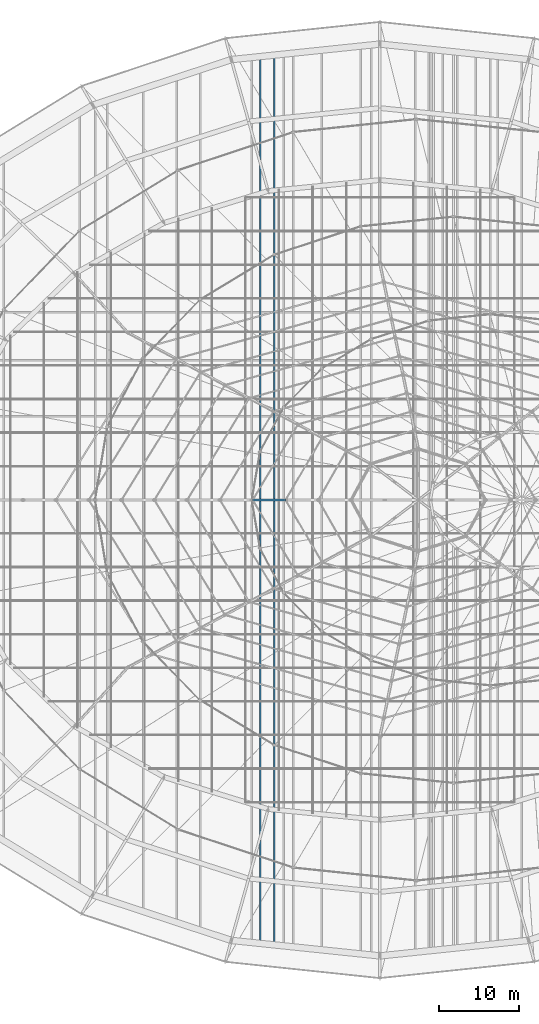
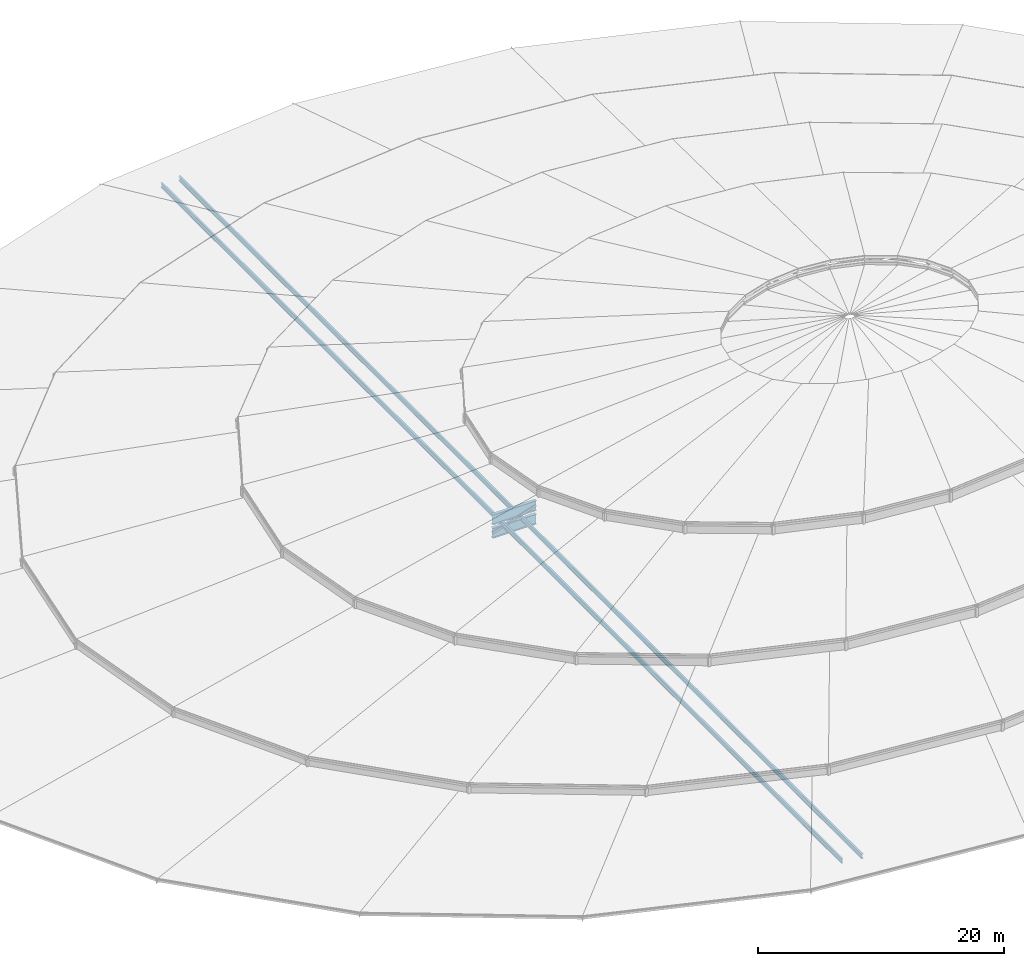
# One storey, part 30 of 184: 3 members, 2 beams.
"""IFC4 building model written with IfcOpenShell, lengths in metres."""

import ifcopenshell
import ifcopenshell.guid

model = None  # the IFC model being written
_history = None  # IfcOwnerHistory: only IFC2X3 demands one
_inside = {}  # id of a spatial element -> (the spatial element, [elements in it])
_under = {}  # id of a project, library or spatial element -> (it, [spatial elements below it])
_declared = {}  # id of a project -> (the project, [libraries it declares])
_typed = {}  # id of a type object -> (the type object, [elements of that type])
_made_of = {}  # id of a material, layer set ... -> (it, [elements and type objects made of it])


def new_model(schema):
    """Start an empty IFC model of exactly this schema.

    Asked for "IFC4X3", IfcOpenShell would pick the latest addendum, in which some entities
    have other attributes; the version numbers below select the first issue.
    IFC2X3 requires an IfcOwnerHistory on every rooted entity: one is made here for all.
    """
    global model, _history
    if schema == "IFC4X3":
        model = ifcopenshell.file(schema_version=(4, 3, 0, 0))
    else:
        model = ifcopenshell.file(schema=schema)
    _inside.clear()
    _under.clear()
    _declared.clear()
    _typed.clear()
    _made_of.clear()
    _history = None
    if model.schema == "IFC2X3":
        org = make("IfcOrganization", Name="unknown")
        user = make(
            "IfcPersonAndOrganization",
            ThePerson=make("IfcPerson", FamilyName="unknown"),
            TheOrganization=org,
        )
        app = make(
            "IfcApplication",
            ApplicationDeveloper=org,
            Version="unknown",
            ApplicationFullName="unknown",
            ApplicationIdentifier="unknown",
        )
        _history = make(
            "IfcOwnerHistory",
            OwningUser=user,
            OwningApplication=app,
            ChangeAction="ADDED",
            CreationDate=0,
        )
    return model


def make(cls, **values):
    """One entity of the class cls with the attributes given. An attribute that is None is left unset."""
    return model.create_entity(
        cls, **{name: value for name, value in values.items() if value is not None}
    )


def rooted(cls, **values):
    """An entity with a GlobalId (a new one), such as an element, a storey or a relation."""
    return make(cls, GlobalId=ifcopenshell.guid.new(), OwnerHistory=_history, **values)


def si_unit(unit_type, name, prefix=None):
    """IfcSIUnit, for example si_unit("LENGTHUNIT", "METRE", prefix="MILLI")."""
    return make("IfcSIUnit", UnitType=unit_type, Prefix=prefix, Name=name)


def assignment(units):
    """IfcUnitAssignment: the units of a project."""
    return None if units is None else make("IfcUnitAssignment", Units=units)


def point(xyz):
    """IfcCartesianPoint."""
    return None if xyz is None else make("IfcCartesianPoint", Coordinates=xyz)


def direction(xyz):
    """IfcDirection."""
    return None if xyz is None else make("IfcDirection", DirectionRatios=xyz)


def frame(location, z_axis=None, x_axis=None):
    """IfcAxis2Placement3D, a coordinate frame: its origin and axes. An axis left out is left unset."""
    return make(
        "IfcAxis2Placement3D",
        Location=point(location),
        Axis=direction(z_axis),
        RefDirection=direction(x_axis),
    )


def frame_2d(location, x_axis=None):
    """IfcAxis2Placement2D, a coordinate frame in the plane: its origin and x axis."""
    return make(
        "IfcAxis2Placement2D", Location=point(location), RefDirection=direction(x_axis)
    )


def origin():
    """The frame at (0, 0, 0) with its axes left unset."""
    return frame((0.0, 0.0, 0.0))


def origin_2d():
    """The frame at (0, 0) in the plane with its x axis left unset."""
    return frame_2d((0.0, 0.0))


def place(relative_to, where):
    """IfcLocalPlacement: puts the frame where relative to a parent placement (None: the world)."""
    return make(
        "IfcLocalPlacement", PlacementRelTo=relative_to, RelativePlacement=where
    )


def context(
    kind, dimensions, precision=None, world=None, true_north=None, identifier=None
):
    """IfcGeometricRepresentationContext, for example the 3D "Model" context."""
    return make(
        "IfcGeometricRepresentationContext",
        ContextIdentifier=identifier,
        ContextType=kind,
        CoordinateSpaceDimension=dimensions,
        Precision=precision,
        WorldCoordinateSystem=world,
        TrueNorth=true_north,
    )


def subcontext(parent, identifier, kind, view, scale=None):
    """IfcGeometricRepresentationSubContext, for example "Body" below "Model"."""
    return make(
        "IfcGeometricRepresentationSubContext",
        ContextIdentifier=identifier,
        ContextType=kind,
        ParentContext=parent,
        TargetScale=scale,
        TargetView=view,
    )


def project(units=None, contexts=None):
    """IfcProject with its units and contexts."""
    return rooted(
        "IfcProject",
        Name="project",
        RepresentationContexts=contexts,
        UnitsInContext=assignment(units),
    )


def spatial(cls, under=None, at=None, **own):
    """A site, building, storey or space (cls), placed at a placement, below another one or the project."""
    s = rooted(cls, ObjectPlacement=at, **own)
    if under is not None:
        _under.setdefault(under.id(), (under, []))[1].append(s)
    return s


def profile(cls, at=None, kind="AREA", **sizes):
    """A parametric profile (cls). Its sizes go by their IFC names, for example OverallWidth=200.0."""
    return make(cls, ProfileType=kind, Position=at, **sizes)


def hollow_rectangle(**sizes):
    """IfcRectangleHollowProfileDef."""
    return profile("IfcRectangleHollowProfileDef", **sizes)


def i_section(**sizes):
    """IfcIShapeProfileDef."""
    return profile("IfcIShapeProfileDef", **sizes)


def extrude(swept, where, along, depth):
    """IfcExtrudedAreaSolid: the profile swept, set in the frame where, extruded along a direction by depth."""
    return make(
        "IfcExtrudedAreaSolid",
        SweptArea=swept,
        Position=where,
        ExtrudedDirection=direction(along),
        Depth=depth,
    )


def shape(context_of_items, identifier, shape_type, items):
    """IfcShapeRepresentation: the items that make up one representation, for example the "Body"."""
    return make(
        "IfcShapeRepresentation",
        ContextOfItems=context_of_items,
        RepresentationIdentifier=identifier,
        RepresentationType=shape_type,
        Items=items,
    )


def material(Name=None, Category=None):
    """IfcMaterial."""
    return make("IfcMaterial", Name=Name, Category=Category)


def material_profile(
    of_material, cross_section, Name=None, Category=None, Priority=None
):
    """IfcMaterialProfile: a cross section and its material."""
    return make(
        "IfcMaterialProfile",
        Name=Name,
        Material=of_material,
        Profile=cross_section,
        Priority=Priority,
        Category=Category,
    )


def profile_set(profiles, Name=None, composite=None):
    """IfcMaterialProfileSet."""
    return make(
        "IfcMaterialProfileSet",
        Name=Name,
        MaterialProfiles=profiles,
        CompositeProfile=composite,
    )


def made_of(thing, what):
    """Note that an element or type object is made of a material, layer set ...; save() writes the relation."""
    if what is not None:
        _made_of.setdefault(what.id(), (what, []))[1].append(thing)
    return thing


def type_object(cls, material=None, **own):
    """A type object (cls), such as IfcWallType, which elements share."""
    return made_of(rooted(cls, **own), material)


def element(
    cls,
    number,
    at=None,
    inside=None,
    cuts=None,
    type_object=None,
    material=None,
    context=None,
    identifier="Body",
    shape_type=None,
    held_by="IfcProductDefinitionShape",
    body=None,
    shapes=None,
    **own,
):
    """One element of the class cls, such as IfcWall. Its Tag is "e" and its number.

    at: its placement. inside: the storey or other place that contains it. cuts: it is an
    opening in that element (IfcRelVoidsElement). A single representation is given by context,
    identifier, shape_type and body (its items); several are given by shapes. held_by: the class
    of the entity that holds the representations. save() writes the other relations.
    """
    e = rooted(cls, Tag="e%d" % number, ObjectPlacement=at, **own)
    if body is not None:
        shapes = [shape(context, identifier, shape_type, body)]
    if shapes is not None:
        e.Representation = make(held_by, Representations=shapes)
    if inside is not None:
        _inside.setdefault(inside.id(), (inside, []))[1].append(e)
    if cuts is not None:
        rooted(
            "IfcRelVoidsElement", RelatingBuildingElement=cuts, RelatedOpeningElement=e
        )
    if type_object is not None:
        _typed.setdefault(type_object.id(), (type_object, []))[1].append(e)
    return made_of(e, material)


def aggregate(whole, parts):
    """IfcRelAggregates: a whole, such as a stair, and the parts it consists of."""
    return rooted("IfcRelAggregates", RelatingObject=whole, RelatedObjects=parts)


def save(model, path):
    """Write the relations noted so far, then the file.

    IfcRelAggregates (storeys below a building ...), IfcRelContainedInSpatialStructure (elements
    in a storey), IfcRelDefinesByType, IfcRelAssociatesMaterial and IfcRelDeclares: one each for
    every whole, place, type object, material and project.
    """
    for whole, parts in _under.values():
        aggregate(whole, parts)
    for where, things in _inside.values():
        rooted(
            "IfcRelContainedInSpatialStructure",
            RelatedElements=things,
            RelatingStructure=where,
        )
    for kind, things in _typed.values():
        rooted("IfcRelDefinesByType", RelatedObjects=things, RelatingType=kind)
    for what, things in _made_of.values():
        rooted("IfcRelAssociatesMaterial", RelatedObjects=things, RelatingMaterial=what)
    for by, libraries in _declared.values():
        rooted("IfcRelDeclares", RelatingContext=by, RelatedDefinitions=libraries)
    model.write(path)


model = new_model("IFC4")

# Units and contexts
model_context = context("Model", 3, precision=1e-05, world=origin(), true_north=direction((0.0, 1.0)))
body_context = subcontext(model_context, "Body", "Model", "MODEL_VIEW")
ifc_project = project(units=[si_unit("LENGTHUNIT", "METRE"), si_unit("AREAUNIT", "SQUARE_METRE"), si_unit("VOLUMEUNIT", "CUBIC_METRE"), si_unit("PLANEANGLEUNIT", "RADIAN"), si_unit("MASSUNIT", "GRAM", prefix="KILO")], contexts=[model_context])

# Site, building, storey
site_placement = place(None, origin())
site = spatial("IfcSite", under=ifc_project, at=site_placement, CompositionType="ELEMENT")
building_placement = place(site_placement, origin())
building = spatial("IfcBuilding", under=site, at=building_placement, Name="Kalgoora Escarpment Arena", CompositionType="ELEMENT")
storey_placement = place(building_placement, frame((0.0, 0.0, 27.60009765625)))
storey = spatial("IfcBuildingStorey", under=building, at=storey_placement, Name="Roof Level", CompositionType="ELEMENT", Elevation=27.60009765625)

# Beams
ifc_material_1 = material(Name="Structural steel Grade 350 (350 MPa)", Category="steel")
ifc_material_profile_1 = material_profile(ifc_material_1, i_section(OverallWidth=0.300048828125, OverallDepth=1.010009765625, WebThickness=0.01611328125, FlangeThickness=0.030029296875, at=origin_2d()))
ifc_profile_set_1 = profile_set([ifc_material_profile_1], Name="Structural steel Grade 350 (350 MPa)")
beam_type = type_object("IfcBeamType", Name="BM-TRUSS-CHORD", PredefinedType="USERDEFINED", material=ifc_profile_set_1)
for number, where, z_axis, x_axis, name in (
    (1, (76.488037109375, 64.0, -1.614990234375), (0.999999299082, 0.0, 0.001183991593), (0.0, 1.0, 0.0), "Radial ROOF TRUSS spine 5 bottom chord 9"),
    (2, (76.488037109375, 64.0, -0.280029296875), (0.999997054401, 0.0, 0.002427177317), (0.0, 1.0, 0.0), "Radial ROOF TRUSS spine 5 top chord 9"),
):
    element("IfcBeam", number, at=place(storey_placement, frame(where, z_axis=z_axis, x_axis=x_axis)), inside=storey, type_object=beam_type, Name=name, ObjectType="GIRDER", PredefinedType="USERDEFINED", context=body_context, shape_type="SweptSolid", body=[
        extrude(i_section(OverallWidth=0.300048828125, OverallDepth=1.010009765625, WebThickness=0.01611328125, FlangeThickness=0.030029296875, at=origin_2d()), origin(), (0.0, 0.0, 1.0), 4.1240234375),
    ])

# Members
ifc_material_2 = material(Name="Structural steel AS/NZS 3679 (300 MPa)", Category="steel")
ifc_material_profile_2 = material_profile(ifc_material_2, i_section(OverallWidth=0.19091796875, OverallDepth=0.4599609375, WebThickness=0.010009765625, FlangeThickness=0.01611328125, at=origin_2d()))
ifc_profile_set_2 = profile_set([ifc_material_profile_2], Name="Structural steel AS/NZS 3679 (300 MPa)")
member_type_1 = type_object("IfcMemberType", Name="MEM-CARRIER-CHORD", PredefinedType="CHORD", material=ifc_profile_set_2)
member_1_placement = place(storey_placement, frame((79.199951171875, 8.379638671875, -1.02001953125), z_axis=(0.0, 1.0, 0.0), x_axis=(-1.0, 0.0, 0.0)))
element("IfcMember", 3, at=member_1_placement, inside=storey, type_object=member_type_1, Name="Petal RP3 spanning carrier chord C09", PredefinedType="CHORD", context=body_context, shape_type="SweptSolid", body=[
    extrude(i_section(OverallWidth=0.19091796875, OverallDepth=0.4599609375, WebThickness=0.010009765625, FlangeThickness=0.01611328125, at=origin_2d()), origin(), (0.0, 0.0, 1.0), 111.24072265625),
])
member_2_placement = place(storey_placement, frame((77.415283203125, 8.566162109375, -0.960205078125), z_axis=(0.0, 1.0, 0.0), x_axis=(-1.0, 0.0, 0.0)))
element("IfcMember", 4, at=member_2_placement, inside=storey, type_object=member_type_1, Name="Petal RP4 spanning carrier chord C12", PredefinedType="CHORD", context=body_context, shape_type="SweptSolid", body=[
    extrude(i_section(OverallWidth=0.19091796875, OverallDepth=0.4599609375, WebThickness=0.010009765625, FlangeThickness=0.01611328125, at=origin_2d()), origin(), (0.0, 0.0, 1.0), 110.86767578125),
])
ifc_material_3 = material(Name="Structural steel C350 (350 MPa)", Category="steel")
ifc_material_profile_3 = material_profile(ifc_material_3, hollow_rectangle(XDim=0.199951171875, YDim=0.199951171875, WallThickness=0.009033203125, at=origin_2d()))
ifc_profile_set_3 = profile_set([ifc_material_profile_3], Name="Structural steel C350 (350 MPa)")
member_type_2 = type_object("IfcMemberType", Name="MEM-TRUSS-DIAG", PredefinedType="BRACE", material=ifc_profile_set_3)
member_3_placement = place(storey_placement, frame((76.5, 64.0, -1.614990234375), z_axis=(0.950183125168, 0.0, 0.311692201772), x_axis=(0.0, 1.0, 0.0)))
element("IfcMember", 5, at=member_3_placement, inside=storey, type_object=member_type_2, Name="Radial ROOF TRUSS spine 5 web diagonal 9", PredefinedType="BRACE", context=body_context, shape_type="SweptSolid", body=[
    extrude(hollow_rectangle(XDim=0.199951171875, YDim=0.199951171875, WallThickness=0.009033203125, at=origin_2d()), origin(), (0.0, 0.0, 1.0), 4.31494140625),
])

save(model, "model.ifc")
